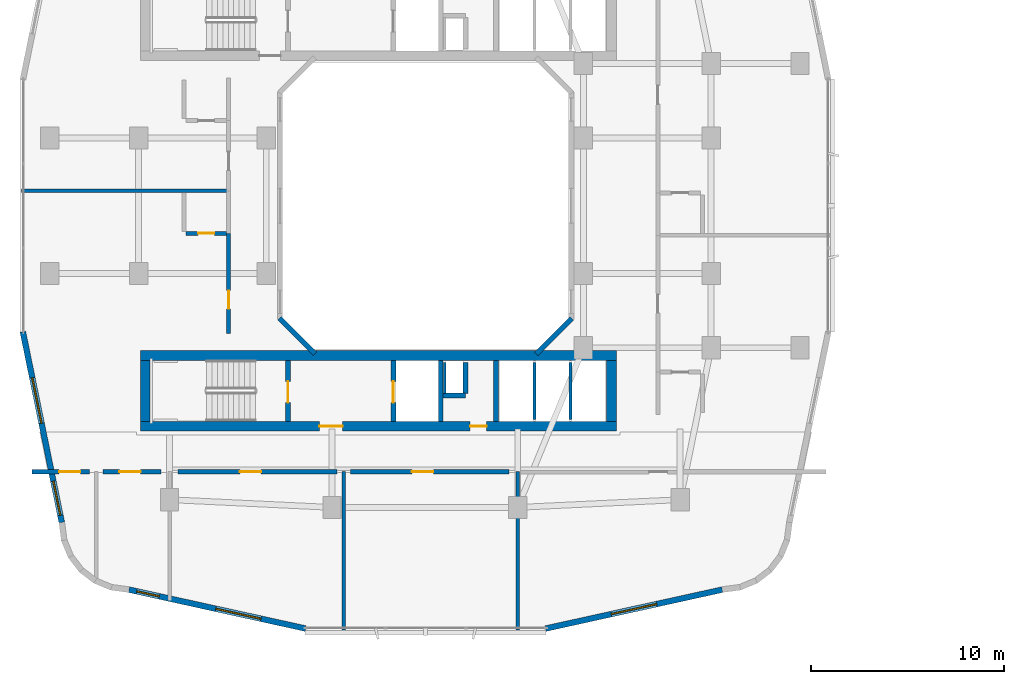
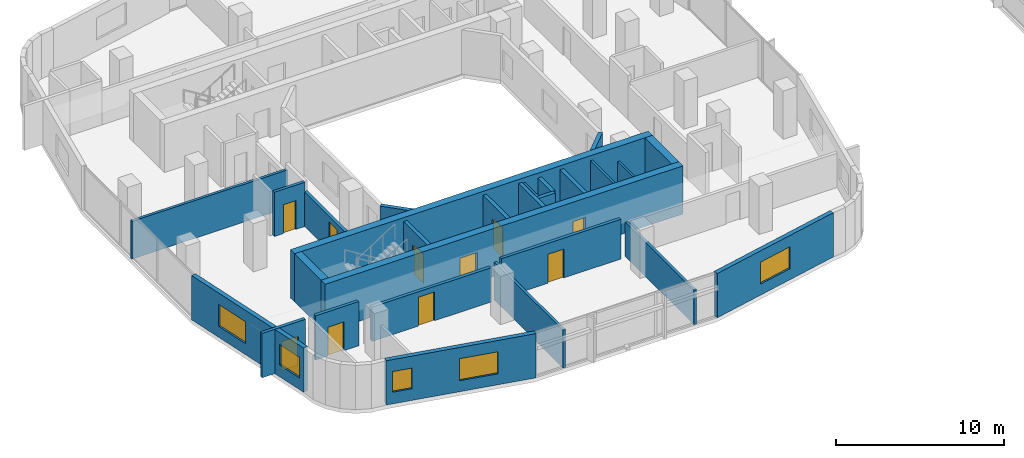
# One storey, part 13 of 26: 27 walls, 10 doors, 5 windows, 15 openings.
"""IFC4 building model written with IfcOpenShell, lengths in metres."""

from ifc_helpers import new_model, si_unit, derived_unit, direction, frame, frame_2d, origin, place, context, subcontext, project, spatial, rectangle, extrude, material, layer, layer_set, type_object, element, fill, save


model = new_model("IFC4")

# Units and contexts
model_context = context("Model", 3, precision=1e-05, world=origin(), true_north=direction((0.0, 1.0)))
body_context = subcontext(model_context, "Body", "Model", "MODEL_VIEW")
ifc_project = project(units=[si_unit("LENGTHUNIT", "METRE"), si_unit("AREAUNIT", "SQUARE_METRE"), si_unit("VOLUMEUNIT", "CUBIC_METRE"), si_unit("PLANEANGLEUNIT", "RADIAN"), si_unit("MASSUNIT", "GRAM", prefix="KILO"), derived_unit("THERMALTRANSMITTANCEUNIT", [(si_unit("POWERUNIT", "WATT"), 1), (si_unit("LENGTHUNIT", "METRE"), -2), (si_unit("THERMODYNAMICTEMPERATUREUNIT", "KELVIN"), -1)])], contexts=[model_context])

# Site, building, storey
site_placement = place(None, origin())
site = spatial("IfcSite", under=ifc_project, at=site_placement, CompositionType="ELEMENT")
building_placement = place(site_placement, origin())
building = spatial("IfcBuilding", under=site, at=building_placement, Name="Kivonza Crest Hotel", CompositionType="ELEMENT")
storey_placement = place(building_placement, frame((0.0, 0.0, 66.0)))
storey = spatial("IfcBuildingStorey", under=building, at=storey_placement, Name="L17", CompositionType="ELEMENT", Elevation=66.0)

# Walls
ifc_material_1 = material(Name="High-density acoustic masonry inter-tenancy wall", Category="masonry")
ifc_layer_1 = layer(ifc_material_1, 0.179931640625)
ifc_layer_set_1 = layer_set([ifc_layer_1], Name="High-density acoustic masonry inter-tenancy wall")
wall_type_1 = type_object("IfcWallType", Name="WL-ACOU-180", PredefinedType="SOLIDWALL", material=ifc_layer_set_1)
wall_1_placement = place(storey_placement, frame((16.800048828125, 3.06005859375, 0.0), z_axis=(0.0, 0.0, 1.0), x_axis=(0.0, 1.0, 0.0)))
element("IfcWall", 1, at=wall_1_placement, inside=storey, type_object=wall_type_1, Name="L17 interior partition WA-L17-T1S-SPDIV1", PredefinedType="SOLIDWALL", context=body_context, shape_type="SweptSolid", body=[
    extrude(rectangle(XDim=8.18994140625, YDim=0.179931640625, at=frame_2d((4.094970703125, 0.0))), origin(), (0.0, 0.0, 1.0), 2.7451171875),
])
wall_2_placement = place(storey_placement, frame((25.800048828125, 3.06005859375, 0.0), z_axis=(0.0, 0.0, 1.0), x_axis=(0.0, 1.0, 0.0)))
element("IfcWall", 2, at=wall_2_placement, inside=storey, type_object=wall_type_1, Name="L17 interior partition WA-L17-T1S-DIV2", PredefinedType="SOLIDWALL", context=body_context, shape_type="SweptSolid", body=[
    extrude(rectangle(XDim=8.18994140625, YDim=0.179931640625, at=frame_2d((4.094970703125, 0.0))), origin(), (0.0, 0.0, 1.0), 2.4951171875),
])
wall_3_placement = place(storey_placement, frame((0.139892578125, 25.77001953125, 0.0), z_axis=(0.0, 0.0, 1.0), x_axis=(1.0, 0.0, 0.0)))
element("IfcWall", 3, at=wall_3_placement, inside=storey, type_object=wall_type_1, Name="L17 interior partition WA-L17-T1W-DIV1", PredefinedType="SOLIDWALL", context=body_context, shape_type="SweptSolid", body=[
    extrude(rectangle(XDim=10.710205078125, YDim=0.179931640625, at=frame_2d((5.35498046875, 0.0))), origin(), (0.0, 0.0, 1.0), 2.7451171875),
])

# Wall, opening, door
ifc_material_2 = material(Name="Autoclaved aerated concrete blockwork", Category="masonry")
ifc_layer_2 = layer(ifc_material_2, 0.219970703125)
ifc_layer_set_2 = layer_set([ifc_layer_2], Name="Autoclaved aerated concrete blockwork")
wall_type_2 = type_object("IfcWallType", Name="WL-ACOU-220", PredefinedType="SOLIDWALL", material=ifc_layer_set_2)
wall_4_placement = place(storey_placement, frame((0.68994140625, 11.25, 0.0), z_axis=(0.0, 0.0, 1.0), x_axis=(1.0, 0.0, 0.0)))
wall_4 = element("IfcWall", 4, at=wall_4_placement, inside=storey, type_object=wall_type_2, Name="L17 interior partition WA-L17-Z1-BIZ0A-N", PredefinedType="SOLIDWALL", context=body_context, shape_type="SweptSolid", body=[
    extrude(rectangle(XDim=2.97998046875, YDim=0.219970703125, at=frame_2d((1.489990234375, 0.0))), origin(), (0.0, 0.0, 1.0), 3.219970703125),
])
opening_1_placement = place(wall_4_placement, frame((1.39599609375, 0.0, 0.0)))
opening_1 = element("IfcOpeningElement", 5, at=opening_1_placement, cuts=wall_4, Name="Opening DF-60M", PredefinedType="OPENING", context=body_context, shape_type="SweptSolid", body=[
    extrude(rectangle(XDim=1.10009765625, YDim=2.10009765625, at=frame_2d((0.550048828125, 1.050048828125))), frame((0.0, 0.1201171875, 0.0), z_axis=(0.0, -1.0, 0.0), x_axis=(1.0, 0.0, 0.0)), (0.0, 0.0, 1.0), 0.239990234375),
])
ifc_material_3 = material(Name="Hardwood timber oak", Category="wood")
door_type_1 = type_object("IfcDoorType", Name="DR-FD60-1100", OperationType="NOTDEFINED", PredefinedType="DOOR", material=ifc_material_3)
door_1_placement = place(opening_1_placement, frame((1.10009765625, 0.0, 0.0), z_axis=(0.0, 0.0, 1.0), x_axis=(-1.0, 0.0, 0.0)))
door_1 = element("IfcDoor", 6, at=door_1_placement, inside=storey, type_object=door_type_1, Name="L17 Executive Sky Business Office door", OperationType="SINGLE_SWING_RIGHT", OverallHeight=2.10009765625, OverallWidth=1.10009765625, PredefinedType="DOOR", context=body_context, shape_type="SweptSolid", body=[
    extrude(rectangle(XDim=1.10009765625, YDim=2.10009765625, at=frame_2d((0.550048828125, 1.050048828125))), frame((0.0, 0.02490234375, 0.0), z_axis=(0.0, -1.0, 0.0), x_axis=(1.0, 0.0, 0.0)), (0.0, 0.0, 1.0), 0.050048828125),
])
fill(opening_1, door_1)

wall_5_placement = place(storey_placement, frame((4.3701171875, 11.25, 0.0), z_axis=(0.0, 0.0, 1.0), x_axis=(1.0, 0.0, 0.0)))
wall_5 = element("IfcWall", 7, at=wall_5_placement, inside=storey, type_object=wall_type_2, Name="L17 interior partition WA-L17-Z1-BIZ0B-N", PredefinedType="SOLIDWALL", context=body_context, shape_type="SweptSolid", body=[
    extrude(rectangle(XDim=2.97998046875, YDim=0.219970703125, at=frame_2d((1.489990234375, 0.0))), origin(), (0.0, 0.0, 1.0), 3.219970703125),
])
opening_2_placement = place(wall_5_placement, frame((0.8359375, 0.0, 0.0)))
opening_2 = element("IfcOpeningElement", 8, at=opening_2_placement, cuts=wall_5, Name="Opening DF-60M", PredefinedType="OPENING", context=body_context, shape_type="SweptSolid", body=[
    extrude(rectangle(XDim=1.10009765625, YDim=2.10009765625, at=frame_2d((0.550048828125, 1.050048828125))), frame((0.0, 0.1201171875, 0.0), z_axis=(0.0, -1.0, 0.0), x_axis=(1.0, 0.0, 0.0)), (0.0, 0.0, 1.0), 0.239990234375),
])
door_2_placement = place(opening_2_placement, frame((1.10009765625, 0.0, 0.0), z_axis=(0.0, 0.0, 1.0), x_axis=(-1.0, 0.0, 0.0)))
door_2 = element("IfcDoor", 9, at=door_2_placement, inside=storey, type_object=door_type_1, Name="L17 Club Conference Boardroom door", OperationType="SINGLE_SWING_LEFT", OverallHeight=2.10009765625, OverallWidth=1.10009765625, PredefinedType="DOOR", context=body_context, shape_type="SweptSolid", body=[
    extrude(rectangle(XDim=1.10009765625, YDim=2.10009765625, at=frame_2d((0.550048828125, 1.050048828125))), frame((0.0, 0.02490234375, 0.0), z_axis=(0.0, -1.0, 0.0), x_axis=(1.0, 0.0, 0.0)), (0.0, 0.0, 1.0), 0.050048828125),
])
fill(opening_2, door_2)

wall_6_placement = place(storey_placement, frame((8.25, 11.25, 0.0), z_axis=(0.0, 0.0, 1.0), x_axis=(1.0, 0.0, 0.0)))
wall_6 = element("IfcWall", 10, at=wall_6_placement, inside=storey, type_object=wall_type_2, Name="L17 interior partition WA-L17-Z1-BIZ1A-N", PredefinedType="SOLIDWALL", context=body_context, shape_type="SweptSolid", body=[
    extrude(rectangle(XDim=8.199951171875, YDim=0.219970703125, at=frame_2d((4.10009765625, 0.0))), origin(), (0.0, 0.0, 1.0), 2.4951171875),
])
opening_3_placement = place(wall_6_placement, frame((3.18505859375, 0.0, 0.0)))
opening_3 = element("IfcOpeningElement", 11, at=opening_3_placement, cuts=wall_6, Name="Opening DF-60M", PredefinedType="OPENING", context=body_context, shape_type="SweptSolid", body=[
    extrude(rectangle(XDim=1.10009765625, YDim=2.10009765625, at=frame_2d((0.550048828125, 1.050048828125))), frame((0.0, 0.1201171875, 0.0), z_axis=(0.0, -1.0, 0.0), x_axis=(1.0, 0.0, 0.0)), (0.0, 0.0, 1.0), 0.239990234375),
])
door_3_placement = place(opening_3_placement, frame((1.10009765625, 0.0, 0.0), z_axis=(0.0, 0.0, 1.0), x_axis=(-1.0, 0.0, 0.0)))
door_3 = element("IfcDoor", 12, at=door_3_placement, inside=storey, type_object=door_type_1, Name="L17 Executive Sky Business Office door", OperationType="SINGLE_SWING_RIGHT", OverallHeight=2.10009765625, OverallWidth=1.10009765625, PredefinedType="DOOR", context=body_context, shape_type="SweptSolid", body=[
    extrude(rectangle(XDim=1.10009765625, YDim=2.10009765625, at=frame_2d((0.550048828125, 1.050048828125))), frame((0.0, 0.02490234375, 0.0), z_axis=(0.0, -1.0, 0.0), x_axis=(1.0, 0.0, 0.0)), (0.0, 0.0, 1.0), 0.050048828125),
])
fill(opening_3, door_3)

wall_7_placement = place(storey_placement, frame((17.14990234375, 11.25, 0.0), z_axis=(0.0, 0.0, 1.0), x_axis=(1.0, 0.0, 0.0)))
wall_7 = element("IfcWall", 13, at=wall_7_placement, inside=storey, type_object=wall_type_2, Name="L17 interior partition WA-L17-Z1-BIZ1B-N", PredefinedType="SOLIDWALL", context=body_context, shape_type="SweptSolid", body=[
    extrude(rectangle(XDim=8.2001953125, YDim=0.219970703125, at=frame_2d((4.10009765625, 0.0))), origin(), (0.0, 0.0, 1.0), 2.89501953125),
])
opening_4_placement = place(wall_7_placement, frame((3.18505859375, 0.0, 0.0)))
opening_4 = element("IfcOpeningElement", 14, at=opening_4_placement, cuts=wall_7, Name="Opening DF-60M", PredefinedType="OPENING", context=body_context, shape_type="SweptSolid", body=[
    extrude(rectangle(XDim=1.10009765625, YDim=2.10009765625, at=frame_2d((0.550048828125, 1.050048828125))), frame((0.0, 0.1201171875, 0.0), z_axis=(0.0, -1.0, 0.0), x_axis=(1.0, 0.0, 0.0)), (0.0, 0.0, 1.0), 0.239990234375),
])
door_4_placement = place(opening_4_placement, frame((1.10009765625, 0.0, 0.0), z_axis=(0.0, 0.0, 1.0), x_axis=(-1.0, 0.0, 0.0)))
door_4 = element("IfcDoor", 15, at=door_4_placement, inside=storey, type_object=door_type_1, Name="L17 Club Conference Boardroom door", OperationType="SINGLE_SWING_LEFT", OverallHeight=2.10009765625, OverallWidth=1.10009765625, PredefinedType="DOOR", context=body_context, shape_type="SweptSolid", body=[
    extrude(rectangle(XDim=1.10009765625, YDim=2.10009765625, at=frame_2d((0.550048828125, 1.050048828125))), frame((0.0, 0.02490234375, 0.0), z_axis=(0.0, -1.0, 0.0), x_axis=(1.0, 0.0, 0.0)), (0.0, 0.0, 1.0), 0.050048828125),
])
fill(opening_4, door_4)

wall_8_placement = place(storey_placement, frame((10.85009765625, 18.39990234375, 0.0), z_axis=(0.0, 0.0, 1.0), x_axis=(0.0, 1.0, 0.0)))
wall_8 = element("IfcWall", 16, at=wall_8_placement, inside=storey, type_object=wall_type_2, Name="L17 interior partition WA-L17-W02-MCORR", PredefinedType="SOLIDWALL", context=body_context, shape_type="SweptSolid", body=[
    extrude(rectangle(XDim=5.170166015625, YDim=0.219970703125, at=frame_2d((2.5849609375, 0.0))), origin(), (0.0, 0.0, 1.0), 2.4951171875),
])
opening_5_placement = place(wall_8_placement, frame((1.260009765625, 0.0, 0.0)))
opening_5 = element("IfcOpeningElement", 17, at=opening_5_placement, cuts=wall_8, Name="Opening DU-60", PredefinedType="OPENING", context=body_context, shape_type="SweptSolid", body=[
    extrude(rectangle(XDim=0.949951171875, YDim=2.10009765625, at=frame_2d((0.47509765625, 1.050048828125))), frame((0.0, 0.1201171875, 0.0), z_axis=(0.0, -1.0, 0.0), x_axis=(1.0, 0.0, 0.0)), (0.0, 0.0, 1.0), 0.239990234375),
])
door_type_2 = type_object("IfcDoorType", Name="DR-UNIT-950", OperationType="NOTDEFINED", PredefinedType="DOOR", material=ifc_material_3)
door_5_placement = place(opening_5_placement, origin())
door_5 = element("IfcDoor", 18, at=door_5_placement, inside=storey, type_object=door_type_2, Name="L17 W02 guest unit entrance fire door", OperationType="SINGLE_SWING_RIGHT", OverallHeight=2.10009765625, OverallWidth=0.949951171875, PredefinedType="DOOR", context=body_context, shape_type="SweptSolid", body=[
    extrude(rectangle(XDim=0.949951171875, YDim=2.10009765625, at=frame_2d((0.47509765625, 1.050048828125))), frame((0.0, 0.02490234375, 0.0), z_axis=(0.0, -1.0, 0.0), x_axis=(1.0, 0.0, 0.0)), (0.0, 0.0, 1.0), 0.050048828125),
])
fill(opening_5, door_5)

# Wall, openings, doors
ifc_material_4 = material(Name="Concrete C60/75", Category="concrete")
ifc_layer_3 = layer(ifc_material_4, 0.5)
ifc_layer_set_3 = layer_set([ifc_layer_3], Name="Concrete C60/75")
wall_type_3 = type_object("IfcWallType", Name="WL-CORE-500", PredefinedType="SHEAR", material=ifc_layer_set_3)
wall_9_placement = place(storey_placement, frame((6.300048828125, 13.590087890625, 0.0), z_axis=(0.0, 0.0, 1.0), x_axis=(1.0, 0.0, 0.0)))
wall_9 = element("IfcWall", 19, at=wall_9_placement, inside=storey, type_object=wall_type_3, Name="Core wall T1-S South L17", PredefinedType="SHEAR", context=body_context, shape_type="SweptSolid", body=[
    extrude(rectangle(XDim=24.599853515625, YDim=0.5, at=frame_2d((12.2998046875, 0.0))), origin(), (0.0, 0.0, 1.0), 3.5),
])
opening_6_placement = place(wall_9_placement, frame((9.25, 0.0, 0.0)))
opening_6 = element("IfcOpeningElement", 20, at=opening_6_placement, cuts=wall_9, Name="Opening DF-60", PredefinedType="OPENING", context=body_context, shape_type="SweptSolid", body=[
    extrude(rectangle(XDim=1.199951171875, YDim=2.14990234375, at=frame_2d((0.60009765625, 1.074951171875))), frame((0.0, 0.260009765625, 0.0), z_axis=(0.0, -1.0, 0.0), x_axis=(1.0, 0.0, 0.0)), (0.0, 0.0, 1.0), 0.52001953125),
])
opening_7_placement = place(wall_9_placement, frame((17.0400390625, 0.0, 0.0)))
opening_7 = element("IfcOpeningElement", 21, at=opening_7_placement, cuts=wall_9, Name="Opening DF-60R", PredefinedType="OPENING", context=body_context, shape_type="SweptSolid", body=[
    extrude(rectangle(XDim=0.85009765625, YDim=2.10009765625, at=frame_2d((0.425048828125, 1.050048828125))), frame((0.0, 0.260009765625, 0.0), z_axis=(0.0, -1.0, 0.0), x_axis=(1.0, 0.0, 0.0)), (0.0, 0.0, 1.0), 0.52001953125),
])
door_type_3 = type_object("IfcDoorType", Name="DR-FD60-1200", OperationType="NOTDEFINED", PredefinedType="DOOR", material=ifc_material_3)
door_6_placement = place(opening_6_placement, frame((1.199951171875, 0.0, 0.0), z_axis=(0.0, 0.0, 1.0), x_axis=(-1.0, 0.0, 0.0)))
door_6 = element("IfcDoor", 22, at=door_6_placement, inside=storey, type_object=door_type_3, Name="L17 T1-S firefighting lobby fire door", OperationType="SINGLE_SWING_LEFT", OverallHeight=2.14990234375, OverallWidth=1.199951171875, PredefinedType="DOOR", context=body_context, shape_type="SweptSolid", body=[
    extrude(rectangle(XDim=1.199951171875, YDim=2.14990234375, at=frame_2d((0.60009765625, 1.074951171875))), frame((0.0, 0.02490234375, 0.0), z_axis=(0.0, -1.0, 0.0), x_axis=(1.0, 0.0, 0.0)), (0.0, 0.0, 1.0), 0.050048828125),
])
fill(opening_6, door_6)
door_type_4 = type_object("IfcDoorType", Name="DR-FD60-850", OperationType="NOTDEFINED", PredefinedType="DOOR", material=ifc_material_3)
door_7_placement = place(opening_7_placement, frame((0.85009765625, 0.0, 0.0), z_axis=(0.0, 0.0, 1.0), x_axis=(-1.0, 0.0, 0.0)))
door_7 = element("IfcDoor", 23, at=door_7_placement, inside=storey, type_object=door_type_4, Name="L17 T1-S core room door", OperationType="SINGLE_SWING_RIGHT", OverallHeight=2.10009765625, OverallWidth=0.85009765625, PredefinedType="DOOR", context=body_context, shape_type="SweptSolid", body=[
    extrude(rectangle(XDim=0.85009765625, YDim=2.10009765625, at=frame_2d((0.425048828125, 1.050048828125))), frame((0.0, 0.02490234375, 0.0), z_axis=(0.0, -1.0, 0.0), x_axis=(1.0, 0.0, 0.0)), (0.0, 0.0, 1.0), 0.050048828125),
])
fill(opening_7, door_7)

# Walls
wall_10_placement = place(storey_placement, frame((6.300048828125, 17.25, 0.0), z_axis=(0.0, 0.0, 1.0), x_axis=(1.0, 0.0, 0.0)))
element("IfcWall", 24, at=wall_10_placement, inside=storey, type_object=wall_type_3, Name="Core wall T1-S North L17", PredefinedType="SHEAR", context=body_context, shape_type="SweptSolid", body=[
    extrude(rectangle(XDim=24.599853515625, YDim=0.5, at=frame_2d((12.2998046875, 0.0))), origin(), (0.0, 0.0, 1.0), 3.5),
])
for number, where, z_axis, x_axis, name in (
    (25, (6.550048828125, 13.840087890625, 0.0), (0.0, 0.0, 1.0), (0.0, 1.0, 0.0), "Core wall T1-S West L17"),
    (26, (30.64990234375, 13.840087890625, 0.0), (0.0, 0.0, 1.0), (0.0, 1.0, 0.0), "Core wall T1-S East L17"),
):
    element("IfcWall", number, at=place(storey_placement, frame(where, z_axis=z_axis, x_axis=x_axis)), inside=storey, type_object=wall_type_3, Name=name, PredefinedType="SHEAR", context=body_context, shape_type="SweptSolid", body=[
        extrude(rectangle(XDim=3.159912109375, YDim=0.5, at=frame_2d((1.580078125, 0.0))), origin(), (0.0, 0.0, 1.0), 3.5),
    ])
ifc_material_5 = material(Name="Precast concrete C40/50", Category="concrete")
ifc_layer_4 = layer(ifc_material_5, 0.260009765625)
ifc_layer_set_4 = layer_set([ifc_layer_4], Name="Precast concrete C40/50")
wall_type_4 = type_object("IfcWallType", Name="WL-EXT-260", PredefinedType="STANDARD", material=ifc_layer_set_4)
wall_11_placement = place(storey_placement, frame((26.761962890625, 17.337890625, 0.0), z_axis=(0.0, 0.0, 1.0), x_axis=(0.707059717605, 0.707153841636, 0.0)))
element("IfcWall", 27, at=wall_11_placement, inside=storey, type_object=wall_type_4, Name="L17 T1 light-well exterior wall 2", PredefinedType="STANDARD", context=body_context, shape_type="SweptSolid", body=[
    extrude(rectangle(XDim=2.59375, YDim=0.260009765625, at=frame_2d((1.296875, 0.0))), origin(), (0.0, 0.0, 1.0), 3.219970703125),
])
wall_12_placement = place(storey_placement, frame((13.48388671875, 19.172119140625, 0.0), z_axis=(0.0, 0.0, 1.0), x_axis=(0.707106781187, -0.707106781187, 0.0)))
element("IfcWall", 28, at=wall_12_placement, inside=storey, type_object=wall_type_4, Name="L17 T1 light-well exterior wall 8", PredefinedType="STANDARD", context=body_context, shape_type="SweptSolid", body=[
    extrude(rectangle(XDim=2.593994140625, YDim=0.260009765625, at=frame_2d((1.296875, 0.0))), origin(), (0.0, 0.0, 1.0), 3.219970703125),
])

# Wall, openings, windows
ifc_layer_5 = layer(ifc_material_5, 0.300048828125)
ifc_layer_set_5 = layer_set([ifc_layer_5], Name="Precast concrete C40/50")
wall_type_5 = type_object("IfcWallType", Name="WL-EXT-300", PredefinedType="STANDARD", material=ifc_layer_set_5)
wall_13_placement = place(storey_placement, frame((5.7041015625, 5.14794921875, 0.0), z_axis=(0.0, 0.0, 1.0), x_axis=(0.9765437942, -0.215318875183, 0.0)))
wall_13 = element("IfcWall", 29, at=wall_13_placement, inside=storey, type_object=wall_type_5, Name="L17 T1 exterior insulated wall 7", PredefinedType="STANDARD", context=body_context, shape_type="SweptSolid", body=[
    extrude(rectangle(XDim=9.353271484375, YDim=0.300048828125, at=frame_2d((4.6767578125, 0.0))), origin(), (0.0, 0.0, 1.0), 3.219970703125),
])
opening_8_placement = place(wall_13_placement, frame((0.407958984375, 0.0, 0.85009765625)))
opening_8 = element("IfcOpeningElement", 30, at=opening_8_placement, cuts=wall_13, Name="Opening WN-01", PredefinedType="OPENING", context=body_context, shape_type="SweptSolid", body=[
    extrude(rectangle(XDim=1.199951171875, YDim=1.5, at=frame_2d((0.60009765625, 0.75))), frame((0.0, 0.16015625, 0.0), z_axis=(0.0, -1.0, 0.0), x_axis=(1.0, 0.0, 0.0)), (0.0, 0.0, 1.0), 0.320068359375),
])
opening_9_placement = place(wall_13_placement, frame((4.590087890625, 0.0, 0.800048828125)))
opening_9 = element("IfcOpeningElement", 31, at=opening_9_placement, cuts=wall_13, Name="Opening WN-05", PredefinedType="OPENING", context=body_context, shape_type="SweptSolid", body=[
    extrude(rectangle(XDim=2.39990234375, YDim=1.60009765625, at=frame_2d((1.199951171875, 0.800048828125))), frame((0.0, 0.16015625, 0.0), z_axis=(0.0, -1.0, 0.0), x_axis=(1.0, 0.0, 0.0)), (0.0, 0.0, 1.0), 0.320068359375),
])
ifc_material_6 = material(Name="Thermally broken bronze aluminium and low-E double glazing", Category="aluminium")
window_type_1 = type_object("IfcWindowType", Name="WN-120x150", PartitioningType="SINGLE_PANEL", PredefinedType="WINDOW", material=ifc_material_6)
window_1_placement = place(opening_8_placement, origin())
window_1 = element("IfcWindow", 32, at=window_1_placement, inside=storey, type_object=window_type_1, Name="L17 T1 facade window 7 bay 1", OverallHeight=1.5, OverallWidth=1.199951171875, PartitioningType="SINGLE_PANEL", PredefinedType="WINDOW", context=body_context, shape_type="SweptSolid", body=[
    extrude(rectangle(XDim=1.199951171875, YDim=1.5, at=frame_2d((0.60009765625, 0.75))), frame((0.0, 0.030029296875, 0.0), z_axis=(0.0, -1.0, 0.0), x_axis=(1.0, 0.0, 0.0)), (0.0, 0.0, 1.0), 0.06005859375),
])
fill(opening_8, window_1)
window_type_2 = type_object("IfcWindowType", Name="WN-240x160", PartitioningType="TRIPLE_PANEL_VERTICAL", PredefinedType="WINDOW", material=ifc_material_6)
window_2_placement = place(opening_9_placement, origin())
window_2 = element("IfcWindow", 33, at=window_2_placement, inside=storey, type_object=window_type_2, Name="L17 T1 facade window 7 bay 2", OverallHeight=1.60009765625, OverallWidth=2.39990234375, PartitioningType="SINGLE_PANEL", PredefinedType="WINDOW", context=body_context, shape_type="SweptSolid", body=[
    extrude(rectangle(XDim=2.39990234375, YDim=1.60009765625, at=frame_2d((1.199951171875, 0.800048828125))), frame((0.0, 0.030029296875, 0.0), z_axis=(0.0, -1.0, 0.0), x_axis=(1.0, 0.0, 0.0)), (0.0, 0.0, 1.0), 0.06005859375),
])
fill(opening_9, window_2)

# Wall, opening, window
wall_14_placement = place(storey_placement, frame((27.241943359375, 3.134033203125, 0.0), z_axis=(0.0, 0.0, 1.0), x_axis=(0.97654500432, 0.215313386808, 0.0)))
wall_14 = element("IfcWall", 34, at=wall_14_placement, inside=storey, type_object=wall_type_5, Name="L17 T1 exterior insulated wall 9", PredefinedType="STANDARD", context=body_context, shape_type="SweptSolid", body=[
    extrude(rectangle(XDim=9.353515625, YDim=0.300048828125, at=frame_2d((4.6767578125, 0.0))), origin(), (0.0, 0.0, 1.0), 3.219970703125),
])
opening_10_placement = place(wall_14_placement, frame((3.47705078125, 0.0, 0.800048828125)))
opening_10 = element("IfcOpeningElement", 35, at=opening_10_placement, cuts=wall_14, Name="Opening WN-05", PredefinedType="OPENING", context=body_context, shape_type="SweptSolid", body=[
    extrude(rectangle(XDim=2.39990234375, YDim=1.60009765625, at=frame_2d((1.199951171875, 0.800048828125))), frame((0.0, 0.16015625, 0.0), z_axis=(0.0, -1.0, 0.0), x_axis=(1.0, 0.0, 0.0)), (0.0, 0.0, 1.0), 0.320068359375),
])
window_3_placement = place(opening_10_placement, origin())
window_3 = element("IfcWindow", 36, at=window_3_placement, inside=storey, type_object=window_type_2, Name="L17 T1 facade window 9", OverallHeight=1.60009765625, OverallWidth=2.39990234375, PartitioningType="SINGLE_PANEL", PredefinedType="WINDOW", context=body_context, shape_type="SweptSolid", body=[
    extrude(rectangle(XDim=2.39990234375, YDim=1.60009765625, at=frame_2d((1.199951171875, 0.800048828125))), frame((0.0, 0.030029296875, 0.0), z_axis=(0.0, -1.0, 0.0), x_axis=(1.0, 0.0, 0.0)), (0.0, 0.0, 1.0), 0.06005859375),
])
fill(opening_10, window_3)

# Wall, openings, windows
wall_15_placement = place(storey_placement, frame((0.216064453125, 18.48388671875, 0.0), z_axis=(0.0, 0.0, 1.0), x_axis=(0.199990901713, -0.979797754249, 0.0)))
wall_15 = element("IfcWall", 37, at=wall_15_placement, inside=storey, type_object=wall_type_5, Name="L17 T1 exterior insulated wall 36", PredefinedType="STANDARD", context=body_context, shape_type="SweptSolid", body=[
    extrude(rectangle(XDim=10.065185546875, YDim=0.300048828125, at=frame_2d((5.03271484375, 0.0))), origin(), (0.0, 0.0, 1.0), 3.219970703125),
])
opening_11_placement = place(wall_15_placement, frame((2.428955078125, 0.0, 0.800048828125)))
opening_11 = element("IfcOpeningElement", 38, at=opening_11_placement, cuts=wall_15, Name="Opening WN-05", PredefinedType="OPENING", context=body_context, shape_type="SweptSolid", body=[
    extrude(rectangle(XDim=2.39990234375, YDim=1.60009765625, at=frame_2d((1.199951171875, 0.800048828125))), frame((0.0, 0.16015625, 0.0), z_axis=(0.0, -1.0, 0.0), x_axis=(1.0, 0.0, 0.0)), (0.0, 0.0, 1.0), 0.320068359375),
])
opening_12_placement = place(wall_15_placement, frame((7.886962890625, 0.0, 0.85009765625)))
opening_12 = element("IfcOpeningElement", 39, at=opening_12_placement, cuts=wall_15, Name="Opening WN-03", PredefinedType="OPENING", context=body_context, shape_type="SweptSolid", body=[
    extrude(rectangle(XDim=1.800048828125, YDim=1.5, at=frame_2d((0.89990234375, 0.75))), frame((0.0, 0.16015625, 0.0), z_axis=(0.0, -1.0, 0.0), x_axis=(1.0, 0.0, 0.0)), (0.0, 0.0, 1.0), 0.320068359375),
])
window_type_3 = type_object("IfcWindowType", Name="WN-180x150", PartitioningType="DOUBLE_PANEL_VERTICAL", PredefinedType="WINDOW", material=ifc_material_6)
window_4_placement = place(opening_12_placement, origin())
window_4 = element("IfcWindow", 40, at=window_4_placement, inside=storey, type_object=window_type_3, Name="L17 T1 facade window 36 bay 2", OverallHeight=1.5, OverallWidth=1.800048828125, PartitioningType="SINGLE_PANEL", PredefinedType="WINDOW", context=body_context, shape_type="SweptSolid", body=[
    extrude(rectangle(XDim=1.800048828125, YDim=1.5, at=frame_2d((0.89990234375, 0.75))), frame((0.0, 0.030029296875, 0.0), z_axis=(0.0, -1.0, 0.0), x_axis=(1.0, 0.0, 0.0)), (0.0, 0.0, 1.0), 0.06005859375),
])
fill(opening_12, window_4)
window_5_placement = place(opening_11_placement, origin())
window_5 = element("IfcWindow", 41, at=window_5_placement, inside=storey, type_object=window_type_2, Name="L17 T1 facade window 36 bay 1", OverallHeight=1.60009765625, OverallWidth=2.39990234375, PartitioningType="SINGLE_PANEL", PredefinedType="WINDOW", context=body_context, shape_type="SweptSolid", body=[
    extrude(rectangle(XDim=2.39990234375, YDim=1.60009765625, at=frame_2d((1.199951171875, 0.800048828125))), frame((0.0, 0.030029296875, 0.0), z_axis=(0.0, -1.0, 0.0), x_axis=(1.0, 0.0, 0.0)), (0.0, 0.0, 1.0), 0.06005859375),
])
fill(opening_11, window_5)

# Walls
ifc_material_7 = material(Name="Concrete blockwork fire-compartment wall", Category="masonry")
ifc_layer_6 = layer(ifc_material_7, 0.25)
ifc_layer_set_6 = layer_set([ifc_layer_6], Name="Concrete blockwork fire-compartment wall")
wall_type_6 = type_object("IfcWallType", Name="WL-FIRE-250", PredefinedType="SOLIDWALL", material=ifc_layer_set_6)
wall_16_placement = place(storey_placement, frame((23.10009765625, 15.280029296875, 0.0), z_axis=(0.0, 0.0, 1.0), x_axis=(0.0, 1.0, 0.0)))
element("IfcWall", 42, at=wall_16_placement, inside=storey, type_object=wall_type_6, Name="L17 interior partition WA-L17-T1-S-MEPR-E", PredefinedType="SOLIDWALL", context=body_context, shape_type="SweptSolid", body=[
    extrude(rectangle(XDim=1.619873046875, YDim=0.25, at=frame_2d((0.81005859375, 0.0))), origin(), (0.0, 0.0, 1.0), 3.219970703125),
])
wall_17_placement = place(storey_placement, frame((21.949951171875, 15.179931640625, 0.0), z_axis=(0.0, 0.0, 1.0), x_axis=(1.0, 0.0, 0.0)))
element("IfcWall", 43, at=wall_17_placement, inside=storey, type_object=wall_type_6, Name="L17 interior partition WA-L17-T1-S-MEPR-H", PredefinedType="SOLIDWALL", context=body_context, shape_type="SweptSolid", body=[
    extrude(rectangle(XDim=1.150146484375, YDim=0.25, at=frame_2d((0.5751953125, 0.0))), origin(), (0.0, 0.0, 1.0), 3.219970703125),
])
ifc_material_8 = material(Name="Twin-stud acoustic gypsum board partition", Category="gypsum")
ifc_layer_7 = layer(ifc_material_8, 0.14990234375)
ifc_layer_set_7 = layer_set([ifc_layer_7], Name="Twin-stud acoustic gypsum board partition")
wall_type_7 = type_object("IfcWallType", Name="WL-PART-150", PredefinedType="PARTITIONING", material=ifc_layer_set_7)
wall_18_placement = place(storey_placement, frame((22.030029296875, 15.280029296875, 0.0), z_axis=(0.0, 0.0, 1.0), x_axis=(0.0, 1.0, 0.0)))
element("IfcWall", 44, at=wall_18_placement, inside=storey, type_object=wall_type_7, Name="L17 interior partition WA-L17-T1-S-MEPR-W", PredefinedType="PARTITIONING", context=body_context, shape_type="SweptSolid", body=[
    extrude(rectangle(XDim=1.619873046875, YDim=0.14990234375, at=frame_2d((0.81005859375, 0.0))), origin(), (0.0, 0.0, 1.0), 3.219970703125),
])
wall_19_placement = place(storey_placement, frame((26.6669921875, 13.93994140625, 0.0), z_axis=(0.0, 0.0, 1.0), x_axis=(0.0, 1.0, 0.0)))
element("IfcWall", 45, at=wall_19_placement, inside=storey, type_object=wall_type_7, Name="L17 interior partition WP-L17-T1-S-BSH-1", PredefinedType="PARTITIONING", context=body_context, shape_type="SweptSolid", body=[
    extrude(rectangle(XDim=2.9599609375, YDim=0.14990234375, at=frame_2d((1.47998046875, 0.0))), origin(), (0.0, 0.0, 1.0), 3.219970703125),
])
wall_20_placement = place(storey_placement, frame((28.532958984375, 13.93994140625, 0.0), z_axis=(0.0, 0.0, 1.0), x_axis=(0.0, 1.0, 0.0)))
element("IfcWall", 46, at=wall_20_placement, inside=storey, type_object=wall_type_7, Name="L17 interior partition WP-L17-T1-S-BSH-2", PredefinedType="PARTITIONING", context=body_context, shape_type="SweptSolid", body=[
    extrude(rectangle(XDim=2.9599609375, YDim=0.14990234375, at=frame_2d((1.47998046875, 0.0))), origin(), (0.0, 0.0, 1.0), 2.4951171875),
])

# Wall, opening, door
ifc_material_9 = material(Name="Moisture-resistant plumbing chase partition wall", Category="gypsum")
ifc_layer_8 = layer(ifc_material_9, 0.199951171875)
ifc_layer_set_8 = layer_set([ifc_layer_8], Name="Moisture-resistant plumbing chase partition wall")
wall_type_8 = type_object("IfcWallType", Name="WL-PLUMB-200", PredefinedType="PLUMBINGWALL", material=ifc_layer_set_8)
wall_21_placement = place(storey_placement, frame((8.64990234375, 23.570068359375, 0.0), z_axis=(0.0, 0.0, 1.0), x_axis=(1.0, 0.0, 0.0)))
wall_21 = element("IfcWall", 47, at=wall_21_placement, inside=storey, type_object=wall_type_8, Name="L17 interior partition WW-L17-W02-BH", PredefinedType="PLUMBINGWALL", context=body_context, shape_type="SweptSolid", body=[
    extrude(rectangle(XDim=2.10009765625, YDim=0.199951171875, at=frame_2d((1.050048828125, 0.0))), origin(), (0.0, 0.0, 1.0), 3.219970703125),
])
opening_13_placement = place(wall_21_placement, frame((0.625, 0.0, 0.0)))
opening_13 = element("IfcOpeningElement", 48, at=opening_13_placement, cuts=wall_21, Name="Opening DI-85", PredefinedType="OPENING", context=body_context, shape_type="SweptSolid", body=[
    extrude(rectangle(XDim=0.85009765625, YDim=2.10009765625, at=frame_2d((0.425048828125, 1.050048828125))), frame((0.0, 0.10986328125, 0.0), z_axis=(0.0, -1.0, 0.0), x_axis=(1.0, 0.0, 0.0)), (0.0, 0.0, 1.0), 0.219970703125),
])
door_type_5 = type_object("IfcDoorType", Name="DR-INT-850", OperationType="NOTDEFINED", PredefinedType="DOOR", material=ifc_material_3)
door_8_placement = place(opening_13_placement, frame((0.85009765625, 0.0, 0.0), z_axis=(0.0, 0.0, 1.0), x_axis=(-1.0, 0.0, 0.0)))
door_8 = element("IfcDoor", 49, at=door_8_placement, inside=storey, type_object=door_type_5, Name="L17 W02 en-suite bathroom door", OperationType="SINGLE_SWING_LEFT", OverallHeight=2.10009765625, OverallWidth=0.85009765625, PredefinedType="DOOR", context=body_context, shape_type="SweptSolid", body=[
    extrude(rectangle(XDim=0.85009765625, YDim=2.10009765625, at=frame_2d((0.425048828125, 1.050048828125))), frame((0.0, 0.02490234375, 0.0), z_axis=(0.0, -1.0, 0.0), x_axis=(1.0, 0.0, 0.0)), (0.0, 0.0, 1.0), 0.050048828125),
])
fill(opening_13, door_8)

ifc_material_10 = material(Name="Concrete C50/60", Category="concrete")
ifc_layer_9 = layer(ifc_material_10, 0.25)
ifc_layer_set_9 = layer_set([ifc_layer_9], Name="Concrete C50/60")
wall_type_9 = type_object("IfcWallType", Name="WL-SHAFT-250", PredefinedType="STANDARD", material=ifc_layer_set_9)
wall_22_placement = place(storey_placement, frame((13.925048828125, 13.840087890625, 0.0), z_axis=(0.0, 0.0, 1.0), x_axis=(0.0, 1.0, 0.0)))
wall_22 = element("IfcWall", 50, at=wall_22_placement, inside=storey, type_object=wall_type_9, Name="Core shaft wall T1-S STAIR L17", PredefinedType="STANDARD", context=body_context, shape_type="SweptSolid", body=[
    extrude(rectangle(XDim=3.159912109375, YDim=0.25, at=frame_2d((1.580078125, 0.0))), origin(), (0.0, 0.0, 1.0), 3.219970703125),
])
opening_14_placement = place(wall_22_placement, frame((0.97998046875, 0.0, 0.0)))
opening_14 = element("IfcOpeningElement", 51, at=opening_14_placement, cuts=wall_22, Name="Opening DF-120", PredefinedType="OPENING", context=body_context, shape_type="SweptSolid", body=[
    extrude(rectangle(XDim=1.10009765625, YDim=2.14990234375, at=frame_2d((0.550048828125, 1.074951171875))), frame((0.0, 0.135009765625, 0.0), z_axis=(0.0, -1.0, 0.0), x_axis=(1.0, 0.0, 0.0)), (0.0, 0.0, 1.0), 0.27001953125),
])
ifc_material_11 = material(Name="Galvanised steel", Category="steel")
door_type_6 = type_object("IfcDoorType", Name="DR-FD120-1100", OperationType="NOTDEFINED", PredefinedType="DOOR", material=ifc_material_11)
door_9_placement = place(opening_14_placement, frame((1.10009765625, 0.0, 0.0), z_axis=(0.0, 0.0, 1.0), x_axis=(-1.0, 0.0, 0.0)))
door_9 = element("IfcDoor", 52, at=door_9_placement, inside=storey, type_object=door_type_6, Name="L17 T1-S stair fire door", OperationType="SINGLE_SWING_RIGHT", OverallHeight=2.14990234375, OverallWidth=1.10009765625, PredefinedType="DOOR", context=body_context, shape_type="SweptSolid", body=[
    extrude(rectangle(XDim=1.10009765625, YDim=2.14990234375, at=frame_2d((0.550048828125, 1.074951171875))), frame((0.0, 0.02490234375, 0.0), z_axis=(0.0, -1.0, 0.0), x_axis=(1.0, 0.0, 0.0)), (0.0, 0.0, 1.0), 0.050048828125),
])
fill(opening_14, door_9)

wall_23_placement = place(storey_placement, frame((19.375, 13.840087890625, 0.0), z_axis=(0.0, 0.0, 1.0), x_axis=(0.0, 1.0, 0.0)))
wall_23 = element("IfcWall", 53, at=wall_23_placement, inside=storey, type_object=wall_type_9, Name="Core shaft wall T1-S FFL-W L17", PredefinedType="STANDARD", context=body_context, shape_type="SweptSolid", body=[
    extrude(rectangle(XDim=3.159912109375, YDim=0.25, at=frame_2d((1.580078125, 0.0))), origin(), (0.0, 0.0, 1.0), 3.219970703125),
])
opening_15_placement = place(wall_23_placement, frame((0.97998046875, 0.0, 0.0)))
opening_15 = element("IfcOpeningElement", 54, at=opening_15_placement, cuts=wall_23, Name="Opening LD-120", PredefinedType="OPENING", context=body_context, shape_type="SweptSolid", body=[
    extrude(rectangle(XDim=1.10009765625, YDim=2.14990234375, at=frame_2d((0.550048828125, 1.074951171875))), frame((0.0, 0.135009765625, 0.0), z_axis=(0.0, -1.0, 0.0), x_axis=(1.0, 0.0, 0.0)), (0.0, 0.0, 1.0), 0.27001953125),
])
ifc_material_12 = material(Name="Stainless steel", Category="steel")
door_type_7 = type_object("IfcDoorType", Name="DR-LD120-1100", OperationType="NOTDEFINED", PredefinedType="DOOR", material=ifc_material_12)
door_10_placement = place(opening_15_placement, origin())
door_10 = element("IfcDoor", 55, at=door_10_placement, inside=storey, type_object=door_type_7, Name="L17 FFL-T1-S firefighting lift sliding landing door", OperationType="DOUBLE_DOOR_SLIDING", OverallHeight=2.14990234375, OverallWidth=1.10009765625, PredefinedType="DOOR", context=body_context, shape_type="SweptSolid", body=[
    extrude(rectangle(XDim=1.10009765625, YDim=2.14990234375, at=frame_2d((0.550048828125, 1.074951171875))), frame((0.0, 0.02490234375, 0.0), z_axis=(0.0, -1.0, 0.0), x_axis=(1.0, 0.0, 0.0)), (0.0, 0.0, 1.0), 0.050048828125),
])
fill(opening_15, door_10)

# Walls
for number, where, z_axis, x_axis, name in (
    (56, (21.824951171875, 13.840087890625, 0.0), (0.0, 0.0, 1.0), (0.0, 1.0, 0.0), "Core shaft wall T1-S FFL-E L17"),
    (57, (24.675048828125, 13.840087890625, 0.0), (0.0, 0.0, 1.0), (0.0, 1.0, 0.0), "Core shaft wall T1-S BANK-W L17"),
):
    element("IfcWall", number, at=place(storey_placement, frame(where, z_axis=z_axis, x_axis=x_axis)), inside=storey, type_object=wall_type_9, Name=name, PredefinedType="STANDARD", context=body_context, shape_type="SweptSolid", body=[
        extrude(rectangle(XDim=3.159912109375, YDim=0.25, at=frame_2d((1.580078125, 0.0))), origin(), (0.0, 0.0, 1.0), 3.219970703125),
    ])

save(model, "model.ifc")
